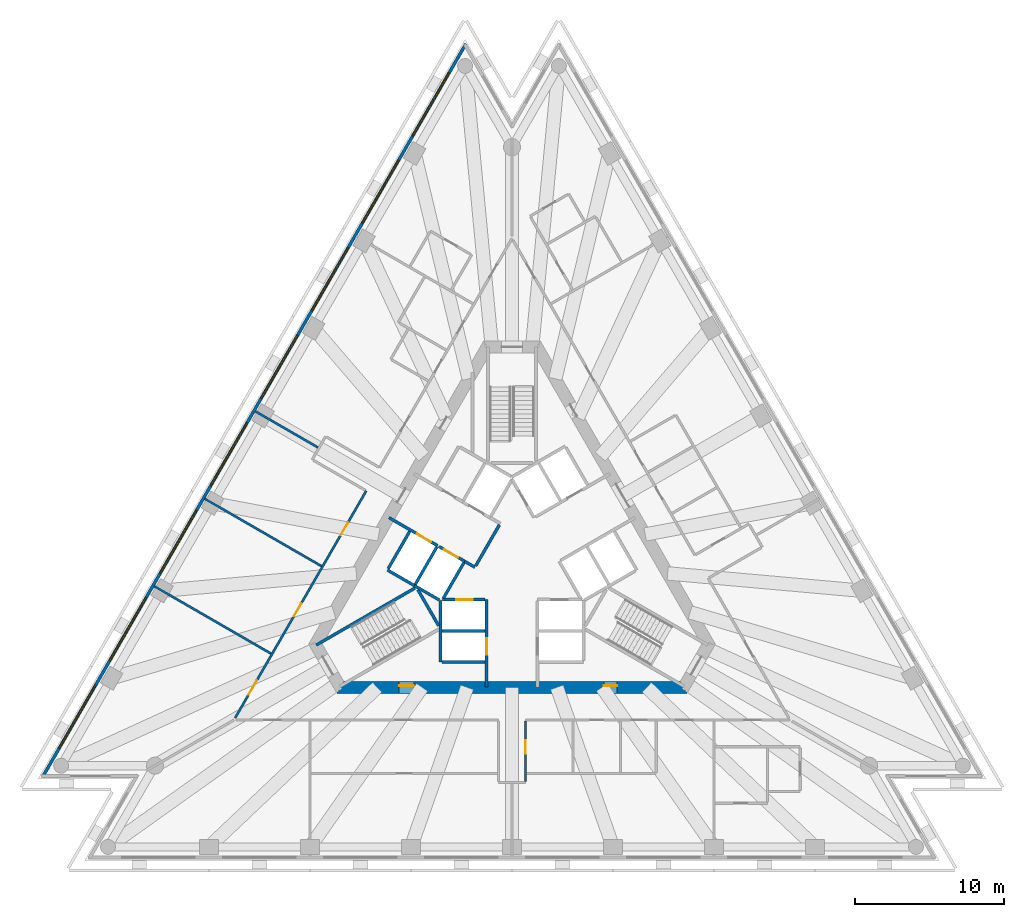
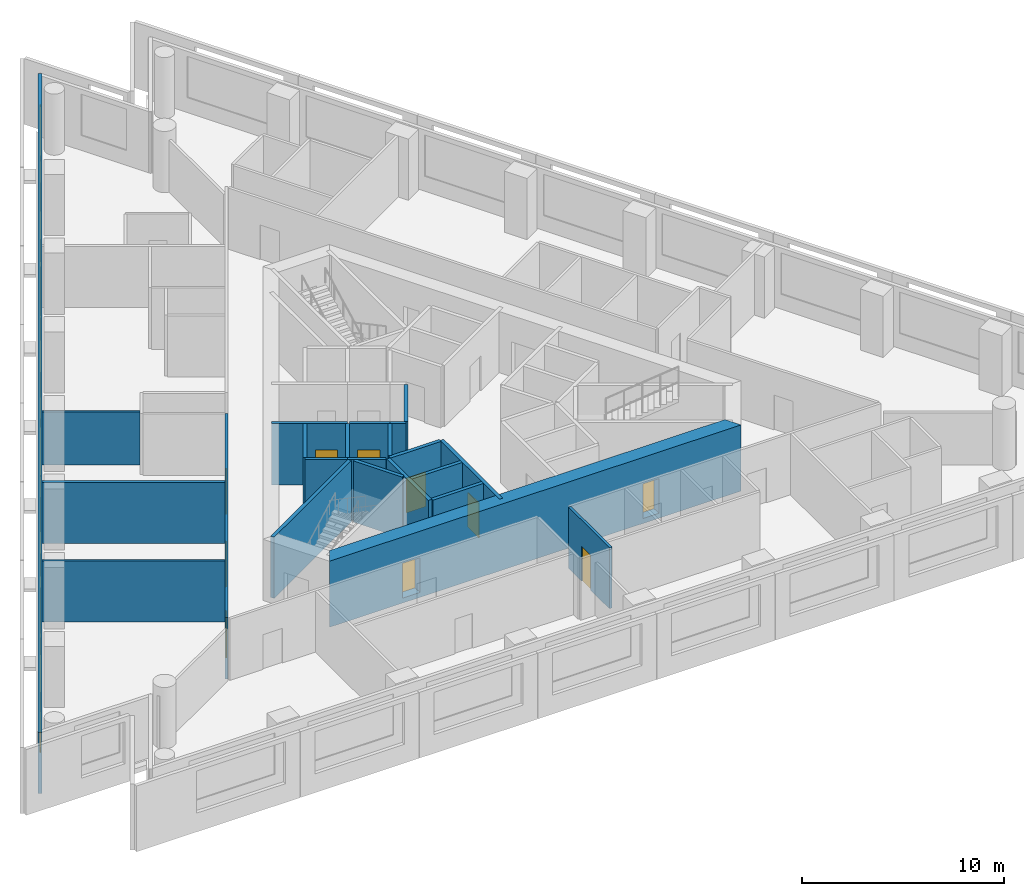
# One storey, part 3 of 9: 23 walls, 10 doors, 8 windows, 18 openings.
"""IFC4 building model written with IfcOpenShell, lengths in metres."""

from ifc_helpers import new_model, si_unit, direction, frame, frame_2d, origin, place, context, subcontext, project, spatial, polyline, rectangle, outline, extrude, material, layer, layer_set, layer_usage, type_object, element, fill, save


model = new_model("IFC4")

# Units and contexts
model_context = context("Model", 3, precision=1e-05, world=origin(), true_north=direction((0.0, 1.0)))
body_context = subcontext(model_context, "Body", "Model", "MODEL_VIEW")
ifc_project = project(units=[si_unit("LENGTHUNIT", "METRE"), si_unit("AREAUNIT", "SQUARE_METRE"), si_unit("VOLUMEUNIT", "CUBIC_METRE"), si_unit("PLANEANGLEUNIT", "RADIAN"), si_unit("MASSUNIT", "GRAM", prefix="KILO")], contexts=[model_context])

# Site, building, storey
site_placement = place(None, origin())
site = spatial("IfcSite", under=ifc_project, at=site_placement, CompositionType="ELEMENT")
building_placement = place(site_placement, origin())
building = spatial("IfcBuilding", under=site, at=building_placement, Name="Triada Interchange Tower", CompositionType="ELEMENT")
storey_placement = place(building_placement, frame((0.0, 0.0, 128.300048828125)))
storey = spatial("IfcBuildingStorey", under=building, at=storey_placement, Name="L29", CompositionType="ELEMENT", Elevation=128.300048828125)

# Walls
ifc_material_1 = material(Name="Concrete C30/37", Category="concrete")
ifc_layer_1 = layer(ifc_material_1, 0.199951171875)
ifc_layer_set_1 = layer_set([ifc_layer_1], Name="CORE WALL 200 EI 120")
wall_type_1 = type_object("IfcWallType", Name="CORE WALL 200 EI 120", PredefinedType="SOLIDWALL", material=ifc_layer_set_1)
wall_1_placement = place(storey_placement, frame((-8.3759765625, -0.70703125, 0.0), z_axis=(0.0, 0.0, 1.0), x_axis=(0.866067520717, -0.499927044236, 0.0)))
element("IfcWall", 1, at=wall_1_placement, inside=storey, type_object=wall_type_1, Name="Wall L29 54", PredefinedType="SOLIDWALL", context=body_context, shape_type="SweptSolid", body=[
    extrude(rectangle(XDim=2.100341796875, YDim=0.199951171875, at=frame_2d((1.05029296875, 0.0))), origin(), (0.0, 0.0, 1.0), 3.699951171875),
])
wall_2_placement = place(storey_placement, frame((-8.325927734375, -0.6201171875, 0.0), z_axis=(0.0, 0.0, 1.0), x_axis=(0.500023687443, 0.866011727401, 0.0)))
element("IfcWall", 2, at=wall_2_placement, inside=storey, type_object=wall_type_1, Name="Wall L29 55", PredefinedType="SOLIDWALL", context=body_context, shape_type="SweptSolid", body=[
    extrude(rectangle(XDim=2.899658203125, YDim=0.199951171875, at=frame_2d((1.44970703125, 0.0))), origin(), (0.0, 0.0, 1.0), 3.699951171875),
])
wall_3_placement = place(storey_placement, frame((-4.800048828125, -6.89990234375, 0.0), z_axis=(0.0, 0.0, 1.0), x_axis=(0.0, 1.0, 0.0)))
element("IfcWall", 3, at=wall_3_placement, inside=storey, type_object=wall_type_1, Name="Wall L29 56", PredefinedType="SOLIDWALL", context=body_context, shape_type="SweptSolid", body=[
    extrude(rectangle(XDim=4.130859375, YDim=0.199951171875, at=frame_2d((2.0654296875, 0.0))), origin(), (0.0, 0.0, 1.0), 3.699951171875),
])
for number, where, z_axis, x_axis, name in (
    (4, (-4.699951171875, -6.89990234375, 0.0), (0.0, 0.0, 1.0), (1.0, 0.0, 0.0), "Wall L29 57"),
    (5, (-4.699951171875, -4.800048828125, 0.0), (0.0, 0.0, 1.0), (1.0, 0.0, 0.0), "Wall L29 59"),
):
    element("IfcWall", number, at=place(storey_placement, frame(where, z_axis=z_axis, x_axis=x_axis)), inside=storey, type_object=wall_type_1, Name=name, PredefinedType="SOLIDWALL", context=body_context, shape_type="SweptSolid", body=[
        extrude(rectangle(XDim=2.89990234375, YDim=0.199951171875, at=frame_2d((1.449951171875, 0.0))), origin(), (0.0, 0.0, 1.0), 3.699951171875),
    ])

# Wall, opening, door
wall_4_placement = place(storey_placement, frame((-1.699951171875, -8.580078125, 0.0), z_axis=(0.0, 0.0, 1.0), x_axis=(0.0, 1.0, 0.0)))
wall_4 = element("IfcWall", 6, at=wall_4_placement, inside=storey, type_object=wall_type_1, Name="Wall L29 61", PredefinedType="SOLIDWALL", context=body_context, shape_type="SweptSolid", body=[
    extrude(rectangle(XDim=5.877197265625, YDim=0.199951171875, at=frame_2d((2.9384765625, 0.0))), origin(), (0.0, 0.0, 1.0), 3.699951171875),
])
opening_1_placement = place(wall_4_placement, frame((2.179931640625, 0.0, 0.0)))
opening_1 = element("IfcOpeningElement", 7, at=opening_1_placement, cuts=wall_4, Name="Opening LD-LR4", PredefinedType="OPENING", context=body_context, shape_type="SweptSolid", body=[
    extrude(rectangle(XDim=1.10009765625, YDim=2.10009765625, at=frame_2d((0.550048828125, 1.050048828125))), frame((0.0, 0.10986328125, 0.0), z_axis=(0.0, -1.0, 0.0), x_axis=(1.0, 0.0, 0.0)), (0.0, 0.0, 1.0), 0.219970703125),
])
ifc_material_2 = material(Name="Steel S235 door leaf", Category="steel")
door_type_1 = type_object("IfcDoorType", Name="LIFT LANDING DOOR 1100 EI 120", OperationType="SLIDING_TO_LEFT", PredefinedType="DOOR", material=ifc_material_2)
door_1_placement = place(opening_1_placement, origin())
door_1 = element("IfcDoor", 8, at=door_1_placement, inside=storey, type_object=door_type_1, Name="LR4 landing door L29", OperationType="SLIDING_TO_LEFT", OverallHeight=2.10009765625, OverallWidth=1.10009765625, PredefinedType="DOOR", context=body_context, shape_type="SweptSolid", body=[
    extrude(rectangle(XDim=1.10009765625, YDim=2.10009765625, at=frame_2d((0.550048828125, 1.050048828125))), frame((0.0, 0.02490234375, 0.0), z_axis=(0.0, -1.0, 0.0), x_axis=(1.0, 0.0, 0.0)), (0.0, 0.0, 1.0), 0.050048828125),
])
fill(opening_1, door_1)

wall_5_placement = place(storey_placement, frame((-4.676025390625, -2.699951171875, 0.0), z_axis=(0.0, 0.0, 1.0), x_axis=(1.0, 0.0, 0.0)))
wall_5 = element("IfcWall", 9, at=wall_5_placement, inside=storey, type_object=wall_type_1, Name="Wall L29 62", PredefinedType="SOLIDWALL", context=body_context, shape_type="SweptSolid", body=[
    extrude(rectangle(XDim=2.873046875, YDim=0.199951171875, at=frame_2d((1.4365234375, 0.0))), origin(), (0.0, 0.0, 1.0), 3.699951171875),
])
opening_2_placement = place(wall_5_placement, frame((0.93701171875, 0.0, 0.0)))
opening_2 = element("IfcOpeningElement", 10, at=opening_2_placement, cuts=wall_5, Name="Opening LD-LR3", PredefinedType="OPENING", context=body_context, shape_type="SweptSolid", body=[
    extrude(rectangle(XDim=1.10009765625, YDim=2.10009765625, at=frame_2d((0.550048828125, 1.050048828125))), frame((0.0, 0.10986328125, 0.0), z_axis=(0.0, -1.0, 0.0), x_axis=(1.0, 0.0, 0.0)), (0.0, 0.0, 1.0), 0.219970703125),
])
door_2_placement = place(opening_2_placement, origin())
door_2 = element("IfcDoor", 11, at=door_2_placement, inside=storey, type_object=door_type_1, Name="LR3 landing door L29", OperationType="SLIDING_TO_LEFT", OverallHeight=2.10009765625, OverallWidth=1.10009765625, PredefinedType="DOOR", context=body_context, shape_type="SweptSolid", body=[
    extrude(rectangle(XDim=1.10009765625, YDim=2.10009765625, at=frame_2d((0.550048828125, 1.050048828125))), frame((0.0, 0.02490234375, 0.0), z_axis=(0.0, -1.0, 0.0), x_axis=(1.0, 0.0, 0.0)), (0.0, 0.0, 1.0), 0.050048828125),
])
fill(opening_2, door_2)

ifc_layer_2 = layer(ifc_material_1, 0.199951171875)
ifc_layer_set_2 = layer_set([ifc_layer_2], Name="CORE WALL 200 EI 180")
wall_type_2 = type_object("IfcWallType", Name="CORE WALL 200 EI 180", PredefinedType="SOLIDWALL", material=ifc_layer_set_2)
wall_6_placement = place(storey_placement, frame((-8.280029296875, 2.818115234375, 0.0), z_axis=(0.0, 0.0, 1.0), x_axis=(0.86600175068, -0.50004096614, 0.0)))
wall_6 = element("IfcWall", 12, at=wall_6_placement, inside=storey, type_object=wall_type_2, Name="Wall L29 76", PredefinedType="SOLIDWALL", context=body_context, shape_type="SweptSolid", body=[
    extrude(rectangle(XDim=3.781982421875, YDim=0.199951171875, at=frame_2d((1.89111328125, 0.0))), origin(), (0.0, 0.0, 1.0), 3.699951171875),
])
opening_3_placement = place(wall_6_placement, frame((2.179931640625, 0.0, 0.0)))
opening_3 = element("IfcOpeningElement", 13, at=opening_3_placement, cuts=wall_6, Name="Opening LD-SV1", PredefinedType="OPENING", context=body_context, shape_type="SweptSolid", body=[
    extrude(rectangle(XDim=1.10009765625, YDim=2.10009765625, at=frame_2d((0.550048828125, 1.050048828125))), frame((0.0, 0.10986328125, 0.0), z_axis=(0.0, -1.0, 0.0), x_axis=(1.0, 0.0, 0.0)), (0.0, 0.0, 1.0), 0.219970703125),
])
door_3_placement = place(opening_3_placement, origin())
door_3 = element("IfcDoor", 14, at=door_3_placement, inside=storey, type_object=door_type_1, Name="SV1 landing door L29", OperationType="SLIDING_TO_LEFT", OverallHeight=2.10009765625, OverallWidth=1.10009765625, PredefinedType="DOOR", context=body_context, shape_type="SweptSolid", body=[
    extrude(rectangle(XDim=1.10009765625, YDim=2.10009765625, at=frame_2d((0.550048828125, 1.050048828125))), frame((0.0, 0.02490234375, 0.0), z_axis=(0.0, -1.0, 0.0), x_axis=(1.0, 0.0, 0.0)), (0.0, 0.0, 1.0), 0.050048828125),
])
fill(opening_3, door_3)

# Walls
wall_7_placement = place(storey_placement, frame((-3.18798828125, -0.1220703125, 0.0), z_axis=(0.0, 0.0, 1.0), x_axis=(0.865705793592, -0.50055317294, 0.0)))
element("IfcWall", 15, at=wall_7_placement, inside=storey, type_object=wall_type_2, Name="Wall L29 77", PredefinedType="SOLIDWALL", context=body_context, shape_type="SweptSolid", body=[
    extrude(rectangle(XDim=0.796875, YDim=0.199951171875, at=frame_2d((0.3984375, 0.0))), origin(), (0.0, 0.0, 1.0), 3.699951171875),
])
wall_8_placement = place(storey_placement, frame((-2.444091796875, -0.43310546875, 0.0), z_axis=(0.0, 0.0, 1.0), x_axis=(0.500035624827, 0.866004834804, 0.0)))
element("IfcWall", 16, at=wall_8_placement, inside=storey, type_object=wall_type_2, Name="Wall L29 82", PredefinedType="SOLIDWALL", context=body_context, shape_type="SweptSolid", body=[
    extrude(rectangle(XDim=3.194091796875, YDim=0.199951171875, at=frame_2d((1.59716796875, 0.0))), origin(), (0.0, 0.0, 1.0), 3.699951171875),
])
wall_9_placement = place(storey_placement, frame((-6.556884765625, -1.757080078125, 0.0), z_axis=(0.0, 0.0, 1.0), x_axis=(0.8659754619, -0.500086491905, 0.0)))
element("IfcWall", 17, at=wall_9_placement, inside=storey, type_object=wall_type_2, Name="Shaft wall FF1 L29 83", PredefinedType="SOLIDWALL", context=body_context, shape_type="SweptSolid", body=[
    extrude(rectangle(XDim=1.915771484375, YDim=0.199951171875, at=frame_2d((0.9580078125, 0.0))), origin(), (0.0, 0.0, 1.0), 3.699951171875),
])
wall_10_placement = place(storey_placement, frame((-6.507080078125, -1.669921875, 0.0), z_axis=(0.0, 0.0, 1.0), x_axis=(0.50012328804, 0.865954211699, 0.0)))
element("IfcWall", 18, at=wall_10_placement, inside=storey, type_object=wall_type_2, Name="Shaft wall FF1 L29 84", PredefinedType="SOLIDWALL", context=body_context, shape_type="SweptSolid", body=[
    extrude(rectangle(XDim=2.899658203125, YDim=0.199951171875, at=frame_2d((1.44970703125, 0.0))), origin(), (0.0, 0.0, 1.0), 3.699951171875),
])

# Wall, opening, door
wall_11_placement = place(storey_placement, frame((-4.919921875, 0.8779296875, 0.0), z_axis=(0.0, 0.0, 1.0), x_axis=(0.866010750942, -0.50002537861, 0.0)))
wall_11 = element("IfcWall", 19, at=wall_11_placement, inside=storey, type_object=wall_type_2, Name="Shaft wall FF1 L29 85", PredefinedType="SOLIDWALL", context=body_context, shape_type="SweptSolid", body=[
    extrude(rectangle(XDim=2.0, YDim=0.199951171875, at=frame_2d((1.0, 0.0))), origin(), (0.0, 0.0, 1.0), 3.699951171875),
])
opening_4_placement = place(wall_11_placement, frame((0.39990234375, 0.0, 0.0)))
opening_4 = element("IfcOpeningElement", 20, at=opening_4_placement, cuts=wall_11, Name="Opening LD-FF1", PredefinedType="OPENING", context=body_context, shape_type="SweptSolid", body=[
    extrude(rectangle(XDim=1.10009765625, YDim=2.10009765625, at=frame_2d((0.550048828125, 1.050048828125))), frame((0.0, 0.10986328125, 0.0), z_axis=(0.0, -1.0, 0.0), x_axis=(1.0, 0.0, 0.0)), (0.0, 0.0, 1.0), 0.219970703125),
])
door_4_placement = place(opening_4_placement, origin())
door_4 = element("IfcDoor", 21, at=door_4_placement, inside=storey, type_object=door_type_1, Name="FF1 landing door L29", OperationType="SLIDING_TO_LEFT", OverallHeight=2.10009765625, OverallWidth=1.10009765625, PredefinedType="DOOR", context=body_context, shape_type="SweptSolid", body=[
    extrude(rectangle(XDim=1.10009765625, YDim=2.10009765625, at=frame_2d((0.550048828125, 1.050048828125))), frame((0.0, 0.02490234375, 0.0), z_axis=(0.0, -1.0, 0.0), x_axis=(1.0, 0.0, 0.0)), (0.0, 0.0, 1.0), 0.050048828125),
])
fill(opening_4, door_4)

# Walls
wall_12_placement = place(storey_placement, frame((-4.618896484375, -2.60009765625, 0.0), z_axis=(0.0, 0.0, 1.0), x_axis=(0.50009492287, 0.865970593103, 0.0)))
element("IfcWall", 22, at=wall_12_placement, inside=storey, type_object=wall_type_2, Name="Shaft wall FF1 L29 86", PredefinedType="SOLIDWALL", context=body_context, shape_type="SweptSolid", body=[
    extrude(rectangle(XDim=2.76123046875, YDim=0.199951171875, at=frame_2d((1.380615234375, 0.0))), origin(), (0.0, 0.0, 1.0), 3.699951171875),
])
ifc_layer_3 = layer(ifc_material_1, 0.199951171875)
ifc_layer_set_3 = layer_set([ifc_layer_3], Name="CORE WALL 200 REI 240")
wall_type_3 = type_object("IfcWallType", Name="CORE WALL 200 REI 240", PredefinedType="SOLIDWALL", material=ifc_layer_set_3)
wall_13_placement = place(storey_placement, frame((-13.1669921875, -5.75390625, 0.0), z_axis=(0.0, 0.0, 1.0), x_axis=(0.866060938598, 0.499938446846, 0.0)))
element("IfcWall", 23, at=wall_13_placement, inside=storey, type_object=wall_type_3, Name="Wall L29 92", PredefinedType="SOLIDWALL", context=body_context, shape_type="SweptSolid", body=[
    extrude(rectangle(XDim=7.66455078125, YDim=0.199951171875, at=frame_2d((3.832275390625, 0.0))), origin(), (0.0, 0.0, 1.0), 3.699951171875),
])
wall_14_placement = place(storey_placement, frame((-6.3291015625, -2.0380859375, 0.0), z_axis=(0.0, 0.0, 1.0), x_axis=(0.500200581029, -0.865909567298, 0.0)))
element("IfcWall", 24, at=wall_14_placement, inside=storey, type_object=wall_type_3, Name="Wall L29 93", PredefinedType="SOLIDWALL", context=body_context, shape_type="SweptSolid", body=[
    extrude(rectangle(XDim=2.799072265625, YDim=0.199951171875, at=frame_2d((1.3994140625, 0.0))), origin(), (0.0, 0.0, 1.0), 3.699951171875),
])

# Wall, openings, doors
ifc_material_3 = material(Name="Concrete C60/75", Category="concrete")
ifc_layer_4 = layer(ifc_material_3, 0.800048828125)
ifc_layer_set_4 = layer_set([ifc_layer_4], Name="Core wall B 800")
wall_type_4 = type_object("IfcWallType", Name="Core wall B 800", PredefinedType="SHEAR", material=ifc_layer_set_4)
wall_15_placement = place(storey_placement, frame((-11.547119140625, -8.60009765625, -0.300048828125), z_axis=(0.0, 0.0, 1.0), x_axis=(1.0, 0.0, 0.0)))
wall_15 = element("IfcWall", 25, at=wall_15_placement, inside=storey, type_object=wall_type_4, Name="Core wall WB04 L29", PredefinedType="SHEAR", context=body_context, shape_type="SweptSolid", body=[
    extrude(outline(polyline([(-0.23095703125, -0.39990234375), (1.73193359375, -0.39990234375), (3.695068359375, -0.39990234375), (5.657958984375, -0.39990234375), (7.62109375, -0.39990234375), (9.583984375, -0.39990234375), (11.546875, -0.39990234375), (13.510009765625, -0.39990234375), (15.472900390625, -0.39990234375), (17.43603515625, -0.39990234375), (19.39892578125, -0.39990234375), (21.362060546875, -0.39990234375), (23.324951171875, -0.39990234375), (22.863037109375, 0.39990234375), (20.97705078125, 0.39990234375), (19.091064453125, 0.39990234375), (17.205078125, 0.39990234375), (15.319091796875, 0.39990234375), (13.43310546875, 0.39990234375), (11.546875, 0.39990234375), (9.660888671875, 0.39990234375), (7.77490234375, 0.39990234375), (5.888916015625, 0.39990234375), (4.0029296875, 0.39990234375), (2.116943359375, 0.39990234375), (0.23095703125, 0.39990234375), (-0.23095703125, -0.39990234375)])), origin(), (0.0, 0.0, 1.0), 4.0),
])
opening_5_placement = place(wall_15_placement, frame((3.950927734375, 0.0, 0.300048828125)))
opening_5 = element("IfcOpeningElement", 26, at=opening_5_placement, cuts=wall_15, Name="Opening D29-42", PredefinedType="OPENING", context=body_context, shape_type="SweptSolid", body=[
    extrude(rectangle(XDim=1.0, YDim=2.10009765625, at=frame_2d((0.5, 1.050048828125))), frame((0.0, 0.409912109375, 0.0), z_axis=(0.0, -1.0, 0.0), x_axis=(1.0, 0.0, 0.0)), (0.0, 0.0, 1.0), 0.820068359375),
])
opening_6_placement = place(wall_15_placement, frame((17.721923828125, 0.0, 0.300048828125)))
opening_6 = element("IfcOpeningElement", 27, at=opening_6_placement, cuts=wall_15, Name="Opening D29-45", PredefinedType="OPENING", context=body_context, shape_type="SweptSolid", body=[
    extrude(rectangle(XDim=0.89990234375, YDim=2.10009765625, at=frame_2d((0.449951171875, 1.050048828125))), frame((0.0, 0.409912109375, 0.0), z_axis=(0.0, -1.0, 0.0), x_axis=(1.0, 0.0, 0.0)), (0.0, 0.0, 1.0), 0.820068359375),
])
door_type_2 = type_object("IfcDoorType", Name="SERVICE DOOR 1000 EI2 45-C5S200", OperationType="NOTDEFINED", PredefinedType="DOOR", material=ifc_material_2)
door_5_placement = place(opening_5_placement, origin())
door_5 = element("IfcDoor", 28, at=door_5_placement, inside=storey, type_object=door_type_2, Name="Door D29-42 L29", OperationType="SINGLE_SWING_LEFT", OverallHeight=2.10009765625, OverallWidth=1.0, PredefinedType="DOOR", context=body_context, shape_type="SweptSolid", body=[
    extrude(rectangle(XDim=1.0, YDim=2.10009765625, at=frame_2d((0.5, 1.050048828125))), frame((0.0, 0.125, 0.0), z_axis=(0.0, -1.0, 0.0), x_axis=(1.0, 0.0, 0.0)), (0.0, 0.0, 1.0), 0.050048828125),
])
fill(opening_5, door_5)
door_type_3 = type_object("IfcDoorType", Name="SERVICE DOOR 900 EI2 45-C5S200", OperationType="NOTDEFINED", PredefinedType="DOOR", material=ifc_material_2)
door_6_placement = place(opening_6_placement, origin())
door_6 = element("IfcDoor", 29, at=door_6_placement, inside=storey, type_object=door_type_3, Name="Door D29-45 L29", OperationType="SINGLE_SWING_LEFT", OverallHeight=2.10009765625, OverallWidth=0.89990234375, PredefinedType="DOOR", context=body_context, shape_type="SweptSolid", body=[
    extrude(rectangle(XDim=0.89990234375, YDim=2.10009765625, at=frame_2d((0.449951171875, 1.050048828125))), frame((0.0, 0.125, 0.0), z_axis=(0.0, -1.0, 0.0), x_axis=(1.0, 0.0, 0.0)), (0.0, 0.0, 1.0), 0.050048828125),
])
fill(opening_6, door_6)

# Wall, openings, windows
ifc_material_4 = material(Name="Cement board")
ifc_layer_5 = layer(ifc_material_4, 0.02001953125, Name="Cement board cladding")
ifc_material_5 = material(Name="Sheathing board")
ifc_layer_6 = layer(ifc_material_5, 0.014892578125, Name="Sheathing board")
ifc_material_6 = material(Name="Mineral wool")
ifc_layer_7 = layer(ifc_material_6, 0.14990234375, Name="Mineral wool between steel studs")
ifc_material_7 = material(Name="Gypsum board")
ifc_layer_8 = layer(ifc_material_7, 0.014892578125, Name="Plasterboard lining")
ifc_layer_set_5 = layer_set([ifc_layer_5, ifc_layer_6, ifc_layer_7, ifc_layer_8], Name="External wall 200")
ifc_layer_usage = layer_usage(ifc_layer_set_5, "AXIS2", "POSITIVE", -0.10009765625)
wall_type_5 = type_object("IfcWallType", Name="External wall 200", PredefinedType="ELEMENTEDWALL", material=ifc_layer_set_5)
wall_16_placement = place(storey_placement, frame((-3.10888671875, 34.678955078125, 0.0), z_axis=(0.0, 0.0, 1.0), x_axis=(-0.50000689325, -0.866021423928, 0.0)))
wall_16 = element("IfcWall", 30, at=wall_16_placement, inside=storey, type_object=wall_type_5, material=ifc_layer_usage, Name="External wall L29 NW", PredefinedType="ELEMENTEDWALL", context=body_context, shape_type="SweptSolid", body=[
    extrude(rectangle(XDim=56.937255859375, YDim=0.199951171875, at=frame_2d((28.46875, 0.0))), origin(), (0.0, 0.0, 1.0), 3.699951171875),
])
opening_7_placement = place(wall_16_placement, frame((2.2490234375, 0.0, 0.89990234375)))
opening_7 = element("IfcOpeningElement", 31, at=opening_7_placement, cuts=wall_16, Name="Opening WB01", PredefinedType="OPENING", context=body_context, shape_type="SweptSolid", body=[
    extrude(rectangle(XDim=4.89990234375, YDim=2.5, at=frame_2d((2.449951171875, 1.25))), frame((0.0, 0.10986328125, 0.0), z_axis=(0.0, -1.0, 0.0), x_axis=(1.0, 0.0, 0.0)), (0.0, 0.0, 1.0), 0.219970703125),
])
opening_8_placement = place(wall_16_placement, frame((9.04296875, 0.0, 0.89990234375)))
opening_8 = element("IfcOpeningElement", 32, at=opening_8_placement, cuts=wall_16, Name="Opening WB02", PredefinedType="OPENING", context=body_context, shape_type="SweptSolid", body=[
    extrude(rectangle(XDim=4.89990234375, YDim=2.5, at=frame_2d((2.449951171875, 1.25))), frame((0.0, 0.10986328125, 0.0), z_axis=(0.0, -1.0, 0.0), x_axis=(1.0, 0.0, 0.0)), (0.0, 0.0, 1.0), 0.219970703125),
])
opening_9_placement = place(wall_16_placement, frame((15.8369140625, 0.0, 0.89990234375)))
opening_9 = element("IfcOpeningElement", 33, at=opening_9_placement, cuts=wall_16, Name="Opening WB03", PredefinedType="OPENING", context=body_context, shape_type="SweptSolid", body=[
    extrude(rectangle(XDim=4.89990234375, YDim=2.5, at=frame_2d((2.449951171875, 1.25))), frame((0.0, 0.10986328125, 0.0), z_axis=(0.0, -1.0, 0.0), x_axis=(1.0, 0.0, 0.0)), (0.0, 0.0, 1.0), 0.219970703125),
])
opening_10_placement = place(wall_16_placement, frame((22.631103515625, 0.0, 0.89990234375)))
opening_10 = element("IfcOpeningElement", 34, at=opening_10_placement, cuts=wall_16, Name="Opening WB04", PredefinedType="OPENING", context=body_context, shape_type="SweptSolid", body=[
    extrude(rectangle(XDim=4.89990234375, YDim=2.5, at=frame_2d((2.449951171875, 1.25))), frame((0.0, 0.10986328125, 0.0), z_axis=(0.0, -1.0, 0.0), x_axis=(1.0, 0.0, 0.0)), (0.0, 0.0, 1.0), 0.219970703125),
])
opening_11_placement = place(wall_16_placement, frame((29.425048828125, 0.0, 0.89990234375)))
opening_11 = element("IfcOpeningElement", 35, at=opening_11_placement, cuts=wall_16, Name="Opening WB05", PredefinedType="OPENING", context=body_context, shape_type="SweptSolid", body=[
    extrude(rectangle(XDim=4.89990234375, YDim=2.5, at=frame_2d((2.449951171875, 1.25))), frame((0.0, 0.10986328125, 0.0), z_axis=(0.0, -1.0, 0.0), x_axis=(1.0, 0.0, 0.0)), (0.0, 0.0, 1.0), 0.219970703125),
])
opening_12_placement = place(wall_16_placement, frame((36.218994140625, 0.0, 0.89990234375)))
opening_12 = element("IfcOpeningElement", 36, at=opening_12_placement, cuts=wall_16, Name="Opening WB06", PredefinedType="OPENING", context=body_context, shape_type="SweptSolid", body=[
    extrude(rectangle(XDim=4.89990234375, YDim=2.5, at=frame_2d((2.449951171875, 1.25))), frame((0.0, 0.10986328125, 0.0), z_axis=(0.0, -1.0, 0.0), x_axis=(1.0, 0.0, 0.0)), (0.0, 0.0, 1.0), 0.219970703125),
])
opening_13_placement = place(wall_16_placement, frame((43.012939453125, 0.0, 0.89990234375)))
opening_13 = element("IfcOpeningElement", 37, at=opening_13_placement, cuts=wall_16, Name="Opening WB07", PredefinedType="OPENING", context=body_context, shape_type="SweptSolid", body=[
    extrude(rectangle(XDim=4.89990234375, YDim=2.5, at=frame_2d((2.449951171875, 1.25))), frame((0.0, 0.10986328125, 0.0), z_axis=(0.0, -1.0, 0.0), x_axis=(1.0, 0.0, 0.0)), (0.0, 0.0, 1.0), 0.219970703125),
])
opening_14_placement = place(wall_16_placement, frame((49.806884765625, 0.0, 0.89990234375)))
opening_14 = element("IfcOpeningElement", 38, at=opening_14_placement, cuts=wall_16, Name="Opening WB08", PredefinedType="OPENING", context=body_context, shape_type="SweptSolid", body=[
    extrude(rectangle(XDim=4.89990234375, YDim=2.5, at=frame_2d((2.449951171875, 1.25))), frame((0.0, 0.10986328125, 0.0), z_axis=(0.0, -1.0, 0.0), x_axis=(1.0, 0.0, 0.0)), (0.0, 0.0, 1.0), 0.219970703125),
])
ifc_material_8 = material(Name="Double glazed aluminium window", Category="aluminium")
window_type = type_object("IfcWindowType", Name="Ribbon window B face", PartitioningType="SINGLE_PANEL", PredefinedType="WINDOW", material=ifc_material_8)
window_1_placement = place(opening_7_placement, origin())
window_1 = element("IfcWindow", 39, at=window_1_placement, inside=storey, type_object=window_type, Name="Window L29 NW 1", OverallHeight=2.5, OverallWidth=4.89990234375, PartitioningType="SINGLE_PANEL", PredefinedType="WINDOW", context=body_context, shape_type="SweptSolid", body=[
    extrude(rectangle(XDim=4.89990234375, YDim=2.5, at=frame_2d((2.449951171875, 1.25))), frame((0.0, 0.030029296875, 0.0), z_axis=(0.0, -1.0, 0.0), x_axis=(1.0, 0.0, 0.0)), (0.0, 0.0, 1.0), 0.06005859375),
])
fill(opening_7, window_1)
window_2_placement = place(opening_8_placement, origin())
window_2 = element("IfcWindow", 40, at=window_2_placement, inside=storey, type_object=window_type, Name="Window L29 NW 2", OverallHeight=2.5, OverallWidth=4.89990234375, PartitioningType="SINGLE_PANEL", PredefinedType="WINDOW", context=body_context, shape_type="SweptSolid", body=[
    extrude(rectangle(XDim=4.89990234375, YDim=2.5, at=frame_2d((2.449951171875, 1.25))), frame((0.0, 0.030029296875, 0.0), z_axis=(0.0, -1.0, 0.0), x_axis=(1.0, 0.0, 0.0)), (0.0, 0.0, 1.0), 0.06005859375),
])
fill(opening_8, window_2)
window_3_placement = place(opening_9_placement, origin())
window_3 = element("IfcWindow", 41, at=window_3_placement, inside=storey, type_object=window_type, Name="Window L29 NW 3", OverallHeight=2.5, OverallWidth=4.89990234375, PartitioningType="SINGLE_PANEL", PredefinedType="WINDOW", context=body_context, shape_type="SweptSolid", body=[
    extrude(rectangle(XDim=4.89990234375, YDim=2.5, at=frame_2d((2.449951171875, 1.25))), frame((0.0, 0.030029296875, 0.0), z_axis=(0.0, -1.0, 0.0), x_axis=(1.0, 0.0, 0.0)), (0.0, 0.0, 1.0), 0.06005859375),
])
fill(opening_9, window_3)
window_4_placement = place(opening_10_placement, origin())
window_4 = element("IfcWindow", 42, at=window_4_placement, inside=storey, type_object=window_type, Name="Window L29 NW 4", OverallHeight=2.5, OverallWidth=4.89990234375, PartitioningType="SINGLE_PANEL", PredefinedType="WINDOW", context=body_context, shape_type="SweptSolid", body=[
    extrude(rectangle(XDim=4.89990234375, YDim=2.5, at=frame_2d((2.449951171875, 1.25))), frame((0.0, 0.030029296875, 0.0), z_axis=(0.0, -1.0, 0.0), x_axis=(1.0, 0.0, 0.0)), (0.0, 0.0, 1.0), 0.06005859375),
])
fill(opening_10, window_4)
window_5_placement = place(opening_11_placement, origin())
window_5 = element("IfcWindow", 43, at=window_5_placement, inside=storey, type_object=window_type, Name="Window L29 NW 5", OverallHeight=2.5, OverallWidth=4.89990234375, PartitioningType="SINGLE_PANEL", PredefinedType="WINDOW", context=body_context, shape_type="SweptSolid", body=[
    extrude(rectangle(XDim=4.89990234375, YDim=2.5, at=frame_2d((2.449951171875, 1.25))), frame((0.0, 0.030029296875, 0.0), z_axis=(0.0, -1.0, 0.0), x_axis=(1.0, 0.0, 0.0)), (0.0, 0.0, 1.0), 0.06005859375),
])
fill(opening_11, window_5)
window_6_placement = place(opening_12_placement, origin())
window_6 = element("IfcWindow", 44, at=window_6_placement, inside=storey, type_object=window_type, Name="Window L29 NW 6", OverallHeight=2.5, OverallWidth=4.89990234375, PartitioningType="SINGLE_PANEL", PredefinedType="WINDOW", context=body_context, shape_type="SweptSolid", body=[
    extrude(rectangle(XDim=4.89990234375, YDim=2.5, at=frame_2d((2.449951171875, 1.25))), frame((0.0, 0.030029296875, 0.0), z_axis=(0.0, -1.0, 0.0), x_axis=(1.0, 0.0, 0.0)), (0.0, 0.0, 1.0), 0.06005859375),
])
fill(opening_12, window_6)
window_7_placement = place(opening_13_placement, origin())
window_7 = element("IfcWindow", 45, at=window_7_placement, inside=storey, type_object=window_type, Name="Window L29 NW 7", OverallHeight=2.5, OverallWidth=4.89990234375, PartitioningType="SINGLE_PANEL", PredefinedType="WINDOW", context=body_context, shape_type="SweptSolid", body=[
    extrude(rectangle(XDim=4.89990234375, YDim=2.5, at=frame_2d((2.449951171875, 1.25))), frame((0.0, 0.030029296875, 0.0), z_axis=(0.0, -1.0, 0.0), x_axis=(1.0, 0.0, 0.0)), (0.0, 0.0, 1.0), 0.06005859375),
])
fill(opening_13, window_7)
window_8_placement = place(opening_14_placement, origin())
window_8 = element("IfcWindow", 46, at=window_8_placement, inside=storey, type_object=window_type, Name="Window L29 NW 8", OverallHeight=2.5, OverallWidth=4.89990234375, PartitioningType="SINGLE_PANEL", PredefinedType="WINDOW", context=body_context, shape_type="SweptSolid", body=[
    extrude(rectangle(XDim=4.89990234375, YDim=2.5, at=frame_2d((2.449951171875, 1.25))), frame((0.0, 0.030029296875, 0.0), z_axis=(0.0, -1.0, 0.0), x_axis=(1.0, 0.0, 0.0)), (0.0, 0.0, 1.0), 0.06005859375),
])
fill(opening_14, window_8)

# Walls
ifc_material_9 = material(Name="Gypsum board partition")
ifc_layer_9 = layer(ifc_material_9, 0.14990234375)
ifc_layer_set_6 = layer_set([ifc_layer_9], Name="PARTITION 150 EI 180")
wall_type_6 = type_object("IfcWallType", Name="PARTITION 150 EI 180", PredefinedType="PARTITIONING", material=ifc_layer_set_6)
for number, where, z_axis, x_axis, name in (
    (47, (-24.072998046875, -1.7919921875, 0.0), (0.0, 0.0, 1.0), (0.866049876065, -0.49995761037, 0.0), "Wall L29 2"),
    (48, (-20.676025390625, 4.092041015625, 0.0), (0.0, 0.0, 1.0), (0.866049876065, -0.49995761037, 0.0), "Wall L29 3"),
):
    element("IfcWall", number, at=place(storey_placement, frame(where, z_axis=z_axis, x_axis=x_axis)), inside=storey, type_object=wall_type_6, Name=name, PredefinedType="PARTITIONING", context=body_context, shape_type="SweptSolid", body=[
        extrude(rectangle(XDim=9.076904296875, YDim=0.14990234375, at=frame_2d((4.53857421875, 0.0))), origin(), (0.0, 0.0, 1.0), 3.699951171875),
    ])

# Wall, openings, doors
wall_17_placement = place(storey_placement, frame((-18.631103515625, -10.669921875, 0.0), z_axis=(0.0, 0.0, 1.0), x_axis=(0.499976222121, 0.866039131514, 0.0)))
wall_17 = element("IfcWall", 49, at=wall_17_placement, inside=storey, type_object=wall_type_6, Name="Wall L29 6", PredefinedType="PARTITIONING", context=body_context, shape_type="SweptSolid", body=[
    extrude(rectangle(XDim=17.655029296875, YDim=0.14990234375, at=frame_2d((8.82763671875, 0.0))), origin(), (0.0, 0.0, 1.0), 3.699951171875),
])
opening_15_placement = place(wall_17_placement, frame((14.2060546875, 0.0, 0.0)))
opening_15 = element("IfcOpeningElement", 50, at=opening_15_placement, cuts=wall_17, Name="Opening D29-34", PredefinedType="OPENING", context=body_context, shape_type="SweptSolid", body=[
    extrude(rectangle(XDim=1.0, YDim=2.10009765625, at=frame_2d((0.5, 1.050048828125))), frame((0.0, 0.0849609375, 0.0), z_axis=(0.0, -1.0, 0.0), x_axis=(1.0, 0.0, 0.0)), (0.0, 0.0, 1.0), 0.169921875),
])
opening_16_placement = place(wall_17_placement, frame((7.912109375, 0.0, 0.0)))
opening_16 = element("IfcOpeningElement", 51, at=opening_16_placement, cuts=wall_17, Name="Opening D29-35", PredefinedType="OPENING", context=body_context, shape_type="SweptSolid", body=[
    extrude(rectangle(XDim=1.0, YDim=2.10009765625, at=frame_2d((0.5, 1.050048828125))), frame((0.0, 0.0849609375, 0.0), z_axis=(0.0, -1.0, 0.0), x_axis=(1.0, 0.0, 0.0)), (0.0, 0.0, 1.0), 0.169921875),
])
opening_17_placement = place(wall_17_placement, frame((1.818115234375, 0.0, 0.0)))
opening_17 = element("IfcOpeningElement", 52, at=opening_17_placement, cuts=wall_17, Name="Opening D29-36", PredefinedType="OPENING", context=body_context, shape_type="SweptSolid", body=[
    extrude(rectangle(XDim=1.10009765625, YDim=2.10009765625, at=frame_2d((0.550048828125, 1.050048828125))), frame((0.0, 0.0849609375, 0.0), z_axis=(0.0, -1.0, 0.0), x_axis=(1.0, 0.0, 0.0)), (0.0, 0.0, 1.0), 0.169921875),
])
door_type_4 = type_object("IfcDoorType", Name="ROOM DOOR 1000 EI2 90-C5S200", OperationType="NOTDEFINED", PredefinedType="DOOR", material=ifc_material_2)
door_7_placement = place(opening_15_placement, origin())
door_7 = element("IfcDoor", 53, at=door_7_placement, inside=storey, type_object=door_type_4, Name="Door D29-34 L29", OperationType="SINGLE_SWING_RIGHT", OverallHeight=2.10009765625, OverallWidth=1.0, PredefinedType="DOOR", context=body_context, shape_type="SweptSolid", body=[
    extrude(rectangle(XDim=1.0, YDim=2.10009765625, at=frame_2d((0.5, 1.050048828125))), frame((0.0, 0.02490234375, 0.0), z_axis=(0.0, -1.0, 0.0), x_axis=(1.0, 0.0, 0.0)), (0.0, 0.0, 1.0), 0.050048828125),
])
fill(opening_15, door_7)
door_8_placement = place(opening_16_placement, origin())
door_8 = element("IfcDoor", 54, at=door_8_placement, inside=storey, type_object=door_type_4, Name="Door D29-35 L29", OperationType="SINGLE_SWING_LEFT", OverallHeight=2.10009765625, OverallWidth=1.0, PredefinedType="DOOR", context=body_context, shape_type="SweptSolid", body=[
    extrude(rectangle(XDim=1.0, YDim=2.10009765625, at=frame_2d((0.5, 1.050048828125))), frame((0.0, 0.02490234375, 0.0), z_axis=(0.0, -1.0, 0.0), x_axis=(1.0, 0.0, 0.0)), (0.0, 0.0, 1.0), 0.050048828125),
])
fill(opening_16, door_8)
door_type_5 = type_object("IfcDoorType", Name="TENANCY ENTRANCE DOOR 1100 EI2 90-C5S200", OperationType="NOTDEFINED", PredefinedType="DOOR", material=ifc_material_2)
door_9_placement = place(opening_17_placement, origin())
door_9 = element("IfcDoor", 55, at=door_9_placement, inside=storey, type_object=door_type_5, Name="Door D29-36 L29", OperationType="SINGLE_SWING_LEFT", OverallHeight=2.10009765625, OverallWidth=1.10009765625, PredefinedType="DOOR", context=body_context, shape_type="SweptSolid", body=[
    extrude(rectangle(XDim=1.10009765625, YDim=2.10009765625, at=frame_2d((0.550048828125, 1.050048828125))), frame((0.0, 0.02490234375, 0.0), z_axis=(0.0, -1.0, 0.0), x_axis=(1.0, 0.0, 0.0)), (0.0, 0.0, 1.0), 0.050048828125),
])
fill(opening_17, door_9)

# Wall
wall_18_placement = place(storey_placement, frame((-17.279052734375, 9.97607421875, 0.0), z_axis=(0.0, 0.0, 1.0), x_axis=(0.866097235509, -0.49987556316, 0.0)))
element("IfcWall", 56, at=wall_18_placement, inside=storey, type_object=wall_type_6, Name="Wall L29 8", PredefinedType="PARTITIONING", context=body_context, shape_type="SweptSolid", body=[
    extrude(rectangle(XDim=4.877197265625, YDim=0.14990234375, at=frame_2d((2.4384765625, 0.0))), origin(), (0.0, 0.0, 1.0), 3.199951171875),
])

# Wall, opening, door
wall_19_placement = place(storey_placement, frame((0.89990234375, -14.925048828125, 0.0), z_axis=(0.0, 0.0, 1.0), x_axis=(0.0, 1.0, 0.0)))
wall_19 = element("IfcWall", 57, at=wall_19_placement, inside=storey, type_object=wall_type_6, Name="Wall L29 23", PredefinedType="PARTITIONING", context=body_context, shape_type="SweptSolid", body=[
    extrude(rectangle(XDim=4.049072265625, YDim=0.14990234375, at=frame_2d((2.0244140625, 0.0))), origin(), (0.0, 0.0, 1.0), 3.699951171875),
])
opening_18_placement = place(wall_19_placement, frame((1.875, 0.0, 0.0)))
opening_18 = element("IfcOpeningElement", 58, at=opening_18_placement, cuts=wall_19, Name="Opening D29-15", PredefinedType="OPENING", context=body_context, shape_type="SweptSolid", body=[
    extrude(rectangle(XDim=0.89990234375, YDim=2.10009765625, at=frame_2d((0.449951171875, 1.050048828125))), frame((0.0, 0.0849609375, 0.0), z_axis=(0.0, -1.0, 0.0), x_axis=(1.0, 0.0, 0.0)), (0.0, 0.0, 1.0), 0.169921875),
])
door_type_6 = type_object("IfcDoorType", Name="ROOM DOOR 900 EI2 90-C5S200", OperationType="NOTDEFINED", PredefinedType="DOOR", material=ifc_material_2)
door_10_placement = place(opening_18_placement, origin())
door_10 = element("IfcDoor", 59, at=door_10_placement, inside=storey, type_object=door_type_6, Name="Door D29-15 L29", OperationType="SINGLE_SWING_LEFT", OverallHeight=2.10009765625, OverallWidth=0.89990234375, PredefinedType="DOOR", context=body_context, shape_type="SweptSolid", body=[
    extrude(rectangle(XDim=0.89990234375, YDim=2.10009765625, at=frame_2d((0.449951171875, 1.050048828125))), frame((0.0, 0.02490234375, 0.0), z_axis=(0.0, -1.0, 0.0), x_axis=(1.0, 0.0, 0.0)), (0.0, 0.0, 1.0), 0.050048828125),
])
fill(opening_18, door_10)

save(model, "model.ifc")
